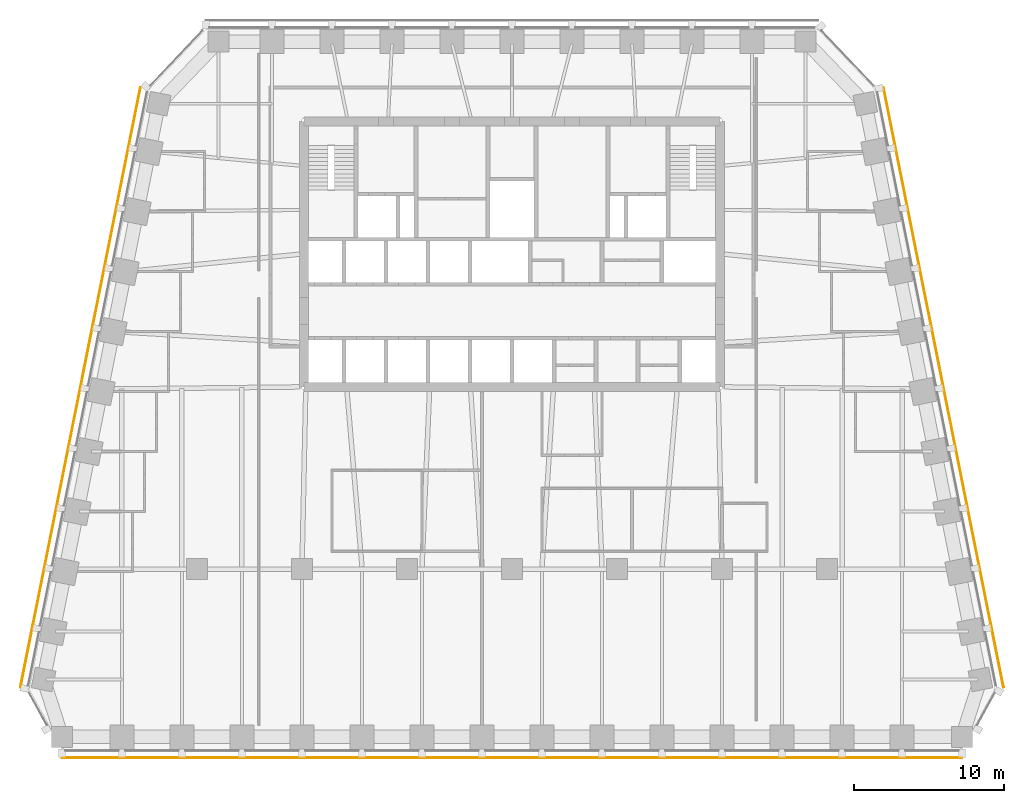
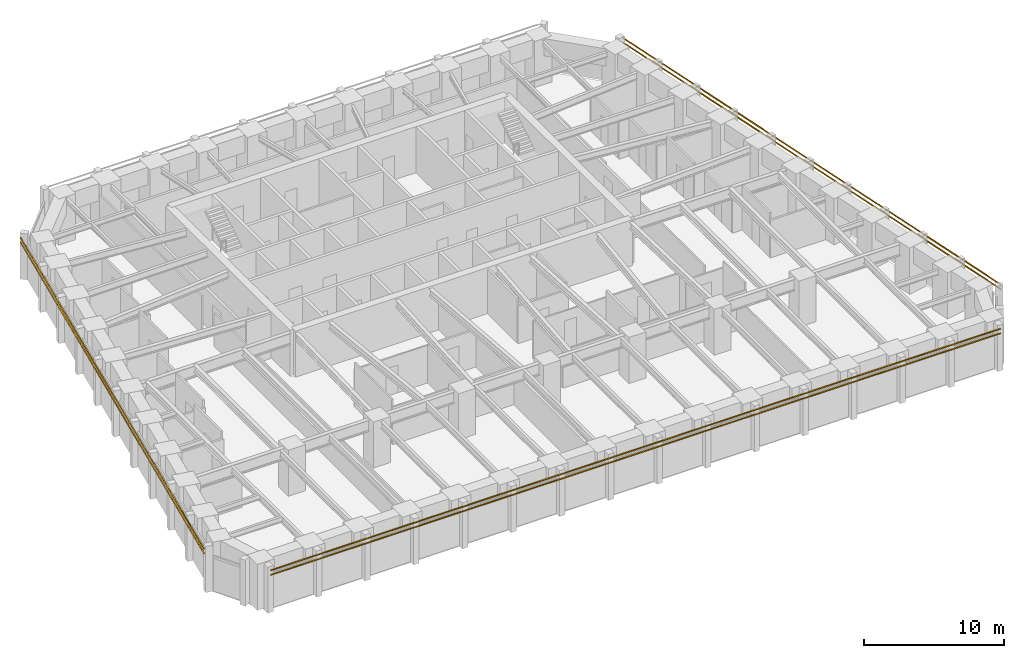
# One storey, part 9 of 10: 6 shading devices.
"""IFC4 building model written with IfcOpenShell, lengths in metres."""

from ifc_helpers import new_model, si_unit, direction, frame, origin, origin_2d, place, context, subcontext, project, spatial, rectangle, extrude, material, material_profile, profile_set, type_object, element, save


model = new_model("IFC4")

# Units and contexts
model_context = context("Model", 3, precision=1e-05, world=origin(), true_north=direction((0.0, 1.0)))
body_context = subcontext(model_context, "Body", "Model", "MODEL_VIEW")
ifc_project = project(units=[si_unit("LENGTHUNIT", "METRE"), si_unit("AREAUNIT", "SQUARE_METRE"), si_unit("VOLUMEUNIT", "CUBIC_METRE"), si_unit("PLANEANGLEUNIT", "RADIAN"), si_unit("MASSUNIT", "GRAM", prefix="KILO")], contexts=[model_context])

# Site, building, storey
site_placement = place(None, origin())
site = spatial("IfcSite", under=ifc_project, at=site_placement, CompositionType="ELEMENT")
building_placement = place(site_placement, origin())
building = spatial("IfcBuilding", under=site, at=building_placement, Name="Isbrekke Arena Tower", CompositionType="ELEMENT")
storey_placement = place(building_placement, frame((0.0, 0.0, 198.0)))
storey = spatial("IfcBuildingStorey", under=building, at=storey_placement, Name="L45", CompositionType="ELEMENT", Elevation=198.0)

# Shading devices
ifc_material = material(Name="Terracotta", Category="masonry")
ifc_material_profile = material_profile(ifc_material, rectangle(XDim=0.06005859375, YDim=0.06005859375, at=origin_2d()), Name="BAGUETTE 60X60")
ifc_profile_set = profile_set([ifc_material_profile], Name="Terracotta")
shading_device_type = type_object("IfcShadingDeviceType", Name="BG1 TERRACOTTA BAGUETTE 60 x 60", PredefinedType="USERDEFINED", material=ifc_profile_set)
for number, where, z_axis, x_axis, name in (
    (1, (-30.0, -18.580078125, 3.280029296875), (1.0, 0.0, 0.0), (0.0, 1.0, 0.0), "BG1 terracotta baguette S1 L45"),
    (2, (-30.0, -18.580078125, 3.679931640625), (1.0, 0.0, 0.0), (0.0, 1.0, 0.0), "BG1 terracotta baguette S2 L45"),
):
    element("IfcShadingDevice", number, at=place(storey_placement, frame(where, z_axis=z_axis, x_axis=x_axis)), inside=storey, type_object=shading_device_type, Name=name, ObjectType="TERRACOTTA BAGUETTE", PredefinedType="USERDEFINED", context=body_context, shape_type="SweptSolid", body=[
        extrude(rectangle(XDim=0.06005859375, YDim=0.06005859375, at=origin_2d()), origin(), (0.0, 0.0, 1.0), 60.0),
    ])
for number, where, z_axis, x_axis, name in (
    (3, (32.768798828125, -13.88623046875, 3.280029296875), (-0.196116135138, 0.980580675691, 0.0), (-0.980580675691, -0.196116135138, 0.0), "BG1 terracotta baguette E1 L45"),
    (4, (32.768798828125, -13.88623046875, 3.679931640625), (-0.196116135138, 0.980580675691, 0.0), (-0.980580675691, -0.196116135138, 0.0), "BG1 terracotta baguette E2 L45"),
    (5, (-24.768798828125, 26.11376953125, 3.280029296875), (-0.196116135138, -0.980580675691, 0.0), (0.980580675691, -0.196116135138, 0.0), "BG1 terracotta baguette W1 L45"),
    (6, (-24.768798828125, 26.11376953125, 3.679931640625), (-0.196116135138, -0.980580675691, 0.0), (0.980580675691, -0.196116135138, 0.0), "BG1 terracotta baguette W2 L45"),
):
    element("IfcShadingDevice", number, at=place(storey_placement, frame(where, z_axis=z_axis, x_axis=x_axis)), inside=storey, type_object=shading_device_type, Name=name, ObjectType="TERRACOTTA BAGUETTE", PredefinedType="USERDEFINED", context=body_context, shape_type="SweptSolid", body=[
        extrude(rectangle(XDim=0.06005859375, YDim=0.06005859375, at=origin_2d()), origin(), (0.0, 0.0, 1.0), 40.792236328125),
    ])

save(model, "model.ifc")
